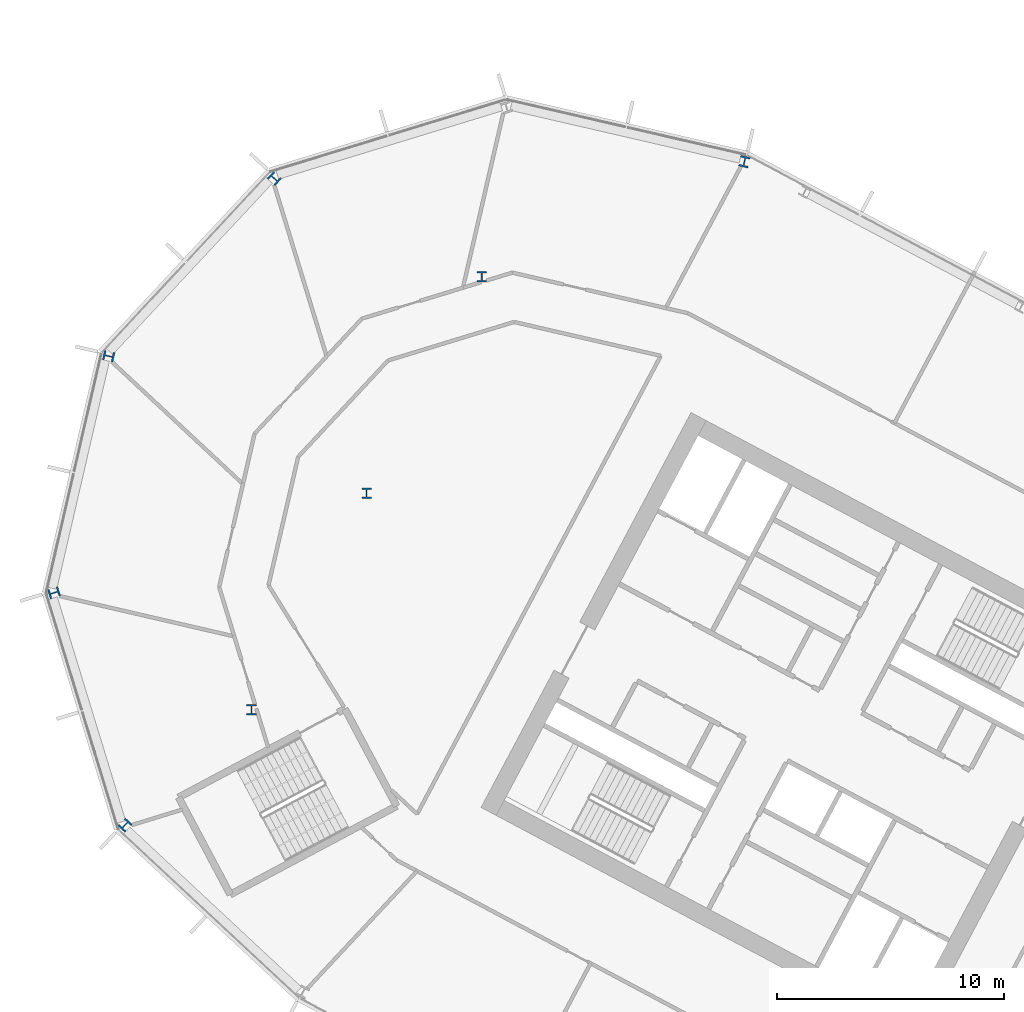
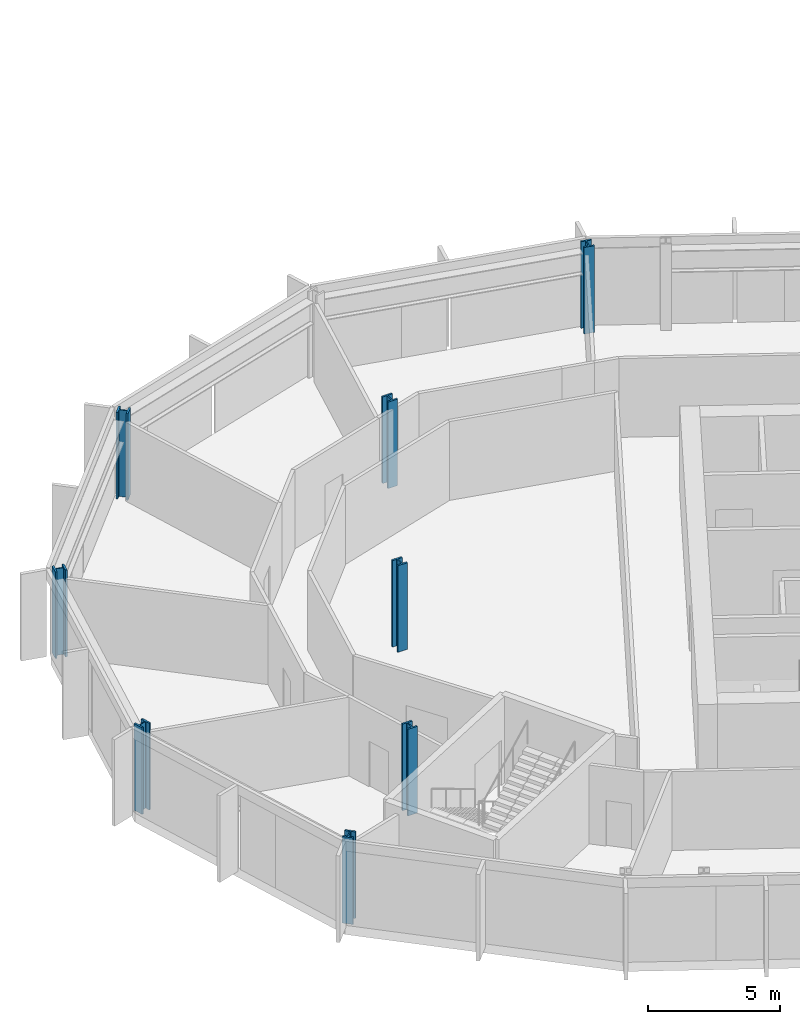
# One storey, part 3 of 34: 8 columns.
"""IFC4 building model written with IfcOpenShell, lengths in metres."""

import ifcopenshell
import ifcopenshell.guid

model = None  # the IFC model being written
_history = None  # IfcOwnerHistory: only IFC2X3 demands one
_inside = {}  # id of a spatial element -> (the spatial element, [elements in it])
_under = {}  # id of a project, library or spatial element -> (it, [spatial elements below it])
_declared = {}  # id of a project -> (the project, [libraries it declares])
_typed = {}  # id of a type object -> (the type object, [elements of that type])
_made_of = {}  # id of a material, layer set ... -> (it, [elements and type objects made of it])


def new_model(schema):
    """Start an empty IFC model of exactly this schema.

    Asked for "IFC4X3", IfcOpenShell would pick the latest addendum, in which some entities
    have other attributes; the version numbers below select the first issue.
    IFC2X3 requires an IfcOwnerHistory on every rooted entity: one is made here for all.
    """
    global model, _history
    if schema == "IFC4X3":
        model = ifcopenshell.file(schema_version=(4, 3, 0, 0))
    else:
        model = ifcopenshell.file(schema=schema)
    _inside.clear()
    _under.clear()
    _declared.clear()
    _typed.clear()
    _made_of.clear()
    _history = None
    if model.schema == "IFC2X3":
        org = make("IfcOrganization", Name="unknown")
        user = make(
            "IfcPersonAndOrganization",
            ThePerson=make("IfcPerson", FamilyName="unknown"),
            TheOrganization=org,
        )
        app = make(
            "IfcApplication",
            ApplicationDeveloper=org,
            Version="unknown",
            ApplicationFullName="unknown",
            ApplicationIdentifier="unknown",
        )
        _history = make(
            "IfcOwnerHistory",
            OwningUser=user,
            OwningApplication=app,
            ChangeAction="ADDED",
            CreationDate=0,
        )
    return model


def make(cls, **values):
    """One entity of the class cls with the attributes given. An attribute that is None is left unset."""
    return model.create_entity(
        cls, **{name: value for name, value in values.items() if value is not None}
    )


def rooted(cls, **values):
    """An entity with a GlobalId (a new one), such as an element, a storey or a relation."""
    return make(cls, GlobalId=ifcopenshell.guid.new(), OwnerHistory=_history, **values)


def si_unit(unit_type, name, prefix=None):
    """IfcSIUnit, for example si_unit("LENGTHUNIT", "METRE", prefix="MILLI")."""
    return make("IfcSIUnit", UnitType=unit_type, Prefix=prefix, Name=name)


def assignment(units):
    """IfcUnitAssignment: the units of a project."""
    return None if units is None else make("IfcUnitAssignment", Units=units)


def point(xyz):
    """IfcCartesianPoint."""
    return None if xyz is None else make("IfcCartesianPoint", Coordinates=xyz)


def direction(xyz):
    """IfcDirection."""
    return None if xyz is None else make("IfcDirection", DirectionRatios=xyz)


def frame(location, z_axis=None, x_axis=None):
    """IfcAxis2Placement3D, a coordinate frame: its origin and axes. An axis left out is left unset."""
    return make(
        "IfcAxis2Placement3D",
        Location=point(location),
        Axis=direction(z_axis),
        RefDirection=direction(x_axis),
    )


def frame_2d(location, x_axis=None):
    """IfcAxis2Placement2D, a coordinate frame in the plane: its origin and x axis."""
    return make(
        "IfcAxis2Placement2D", Location=point(location), RefDirection=direction(x_axis)
    )


def origin():
    """The frame at (0, 0, 0) with its axes left unset."""
    return frame((0.0, 0.0, 0.0))


def origin_2d():
    """The frame at (0, 0) in the plane with its x axis left unset."""
    return frame_2d((0.0, 0.0))


def place(relative_to, where):
    """IfcLocalPlacement: puts the frame where relative to a parent placement (None: the world)."""
    return make(
        "IfcLocalPlacement", PlacementRelTo=relative_to, RelativePlacement=where
    )


def context(
    kind, dimensions, precision=None, world=None, true_north=None, identifier=None
):
    """IfcGeometricRepresentationContext, for example the 3D "Model" context."""
    return make(
        "IfcGeometricRepresentationContext",
        ContextIdentifier=identifier,
        ContextType=kind,
        CoordinateSpaceDimension=dimensions,
        Precision=precision,
        WorldCoordinateSystem=world,
        TrueNorth=true_north,
    )


def subcontext(parent, identifier, kind, view, scale=None):
    """IfcGeometricRepresentationSubContext, for example "Body" below "Model"."""
    return make(
        "IfcGeometricRepresentationSubContext",
        ContextIdentifier=identifier,
        ContextType=kind,
        ParentContext=parent,
        TargetScale=scale,
        TargetView=view,
    )


def project(units=None, contexts=None):
    """IfcProject with its units and contexts."""
    return rooted(
        "IfcProject",
        Name="project",
        RepresentationContexts=contexts,
        UnitsInContext=assignment(units),
    )


def spatial(cls, under=None, at=None, **own):
    """A site, building, storey or space (cls), placed at a placement, below another one or the project."""
    s = rooted(cls, ObjectPlacement=at, **own)
    if under is not None:
        _under.setdefault(under.id(), (under, []))[1].append(s)
    return s


def profile(cls, at=None, kind="AREA", **sizes):
    """A parametric profile (cls). Its sizes go by their IFC names, for example OverallWidth=200.0."""
    return make(cls, ProfileType=kind, Position=at, **sizes)


def i_section(**sizes):
    """IfcIShapeProfileDef."""
    return profile("IfcIShapeProfileDef", **sizes)


def extrude(swept, where, along, depth):
    """IfcExtrudedAreaSolid: the profile swept, set in the frame where, extruded along a direction by depth."""
    return make(
        "IfcExtrudedAreaSolid",
        SweptArea=swept,
        Position=where,
        ExtrudedDirection=direction(along),
        Depth=depth,
    )


def shape(context_of_items, identifier, shape_type, items):
    """IfcShapeRepresentation: the items that make up one representation, for example the "Body"."""
    return make(
        "IfcShapeRepresentation",
        ContextOfItems=context_of_items,
        RepresentationIdentifier=identifier,
        RepresentationType=shape_type,
        Items=items,
    )


def material(Name=None, Category=None):
    """IfcMaterial."""
    return make("IfcMaterial", Name=Name, Category=Category)


def material_profile(
    of_material, cross_section, Name=None, Category=None, Priority=None
):
    """IfcMaterialProfile: a cross section and its material."""
    return make(
        "IfcMaterialProfile",
        Name=Name,
        Material=of_material,
        Profile=cross_section,
        Priority=Priority,
        Category=Category,
    )


def profile_set(profiles, Name=None, composite=None):
    """IfcMaterialProfileSet."""
    return make(
        "IfcMaterialProfileSet",
        Name=Name,
        MaterialProfiles=profiles,
        CompositeProfile=composite,
    )


def made_of(thing, what):
    """Note that an element or type object is made of a material, layer set ...; save() writes the relation."""
    if what is not None:
        _made_of.setdefault(what.id(), (what, []))[1].append(thing)
    return thing


def type_object(cls, material=None, **own):
    """A type object (cls), such as IfcWallType, which elements share."""
    return made_of(rooted(cls, **own), material)


def element(
    cls,
    number,
    at=None,
    inside=None,
    cuts=None,
    type_object=None,
    material=None,
    context=None,
    identifier="Body",
    shape_type=None,
    held_by="IfcProductDefinitionShape",
    body=None,
    shapes=None,
    **own,
):
    """One element of the class cls, such as IfcWall. Its Tag is "e" and its number.

    at: its placement. inside: the storey or other place that contains it. cuts: it is an
    opening in that element (IfcRelVoidsElement). A single representation is given by context,
    identifier, shape_type and body (its items); several are given by shapes. held_by: the class
    of the entity that holds the representations. save() writes the other relations.
    """
    e = rooted(cls, Tag="e%d" % number, ObjectPlacement=at, **own)
    if body is not None:
        shapes = [shape(context, identifier, shape_type, body)]
    if shapes is not None:
        e.Representation = make(held_by, Representations=shapes)
    if inside is not None:
        _inside.setdefault(inside.id(), (inside, []))[1].append(e)
    if cuts is not None:
        rooted(
            "IfcRelVoidsElement", RelatingBuildingElement=cuts, RelatedOpeningElement=e
        )
    if type_object is not None:
        _typed.setdefault(type_object.id(), (type_object, []))[1].append(e)
    return made_of(e, material)


def aggregate(whole, parts):
    """IfcRelAggregates: a whole, such as a stair, and the parts it consists of."""
    return rooted("IfcRelAggregates", RelatingObject=whole, RelatedObjects=parts)


def save(model, path):
    """Write the relations noted so far, then the file.

    IfcRelAggregates (storeys below a building ...), IfcRelContainedInSpatialStructure (elements
    in a storey), IfcRelDefinesByType, IfcRelAssociatesMaterial and IfcRelDeclares: one each for
    every whole, place, type object, material and project.
    """
    for whole, parts in _under.values():
        aggregate(whole, parts)
    for where, things in _inside.values():
        rooted(
            "IfcRelContainedInSpatialStructure",
            RelatedElements=things,
            RelatingStructure=where,
        )
    for kind, things in _typed.values():
        rooted("IfcRelDefinesByType", RelatedObjects=things, RelatingType=kind)
    for what, things in _made_of.values():
        rooted("IfcRelAssociatesMaterial", RelatedObjects=things, RelatingMaterial=what)
    for by, libraries in _declared.values():
        rooted("IfcRelDeclares", RelatingContext=by, RelatedDefinitions=libraries)
    model.write(path)


model = new_model("IFC4")

# Units and contexts
model_context = context("Model", 3, precision=1e-05, world=origin(), true_north=direction((0.0, 1.0)))
body_context = subcontext(model_context, "Body", "Model", "MODEL_VIEW")
ifc_project = project(units=[si_unit("LENGTHUNIT", "METRE"), si_unit("AREAUNIT", "SQUARE_METRE"), si_unit("VOLUMEUNIT", "CUBIC_METRE"), si_unit("PLANEANGLEUNIT", "RADIAN"), si_unit("MASSUNIT", "GRAM", prefix="KILO")], contexts=[model_context])

# Site, building, storey
site_placement = place(None, origin())
site = spatial("IfcSite", under=ifc_project, at=site_placement, CompositionType="ELEMENT")
building_placement = place(site_placement, origin())
building = spatial("IfcBuilding", under=site, at=building_placement, Name="Cormorant Relay Tower", CompositionType="ELEMENT")
storey_placement = place(building_placement, frame((0.0, 0.0, 118.199951171875)))
storey = spatial("IfcBuildingStorey", under=building, at=storey_placement, Name="L23", CompositionType="ELEMENT", Elevation=118.199951171875)

# Columns
ifc_material = material(Name="Steel ASTM A992 (Fy 345 MPa)", Category="steel")
ifc_material_profile = material_profile(ifc_material, i_section(OverallWidth=0.42431640625, OverallDepth=0.47509765625, WebThickness=0.0478515625, FlangeThickness=0.0771484375, FilletRadius=0.014892578125, at=origin_2d()), Name="W360x634")
ifc_profile_set = profile_set([ifc_material_profile], Name="Steel ASTM A992 (Fy 345 MPa)")
column_type = type_object("IfcColumnType", Name="Column W360x634", PredefinedType="COLUMN", material=ifc_profile_set)
for number, where, z_axis, x_axis, name in (
    (1, (-57.261962890625, 10.173095703125, 0.0), (0.0, 0.0, 1.0), (0.731353701619, -0.681998360062, 0.0), "Column L23-022"),
    (2, (-51.68994140625, 15.251953125, 0.0), (0.0, 0.0, 1.0), (1.0, 0.0, 0.0), "Column L23-028"),
    (3, (-60.389892578125, 20.405029296875, 0.0), (0.0, 0.0, 1.0), (0.292371704723, -0.956304755963, 0.0), "Column L23-030"),
    (4, (-46.6201171875, 24.7880859375, 0.0), (0.0, 0.0, 1.0), (1.0, 0.0, 0.0), "Column L23-033"),
    (5, (-57.98291015625, 30.830078125, 0.0), (0.0, 0.0, 1.0), (-0.224951054344, -0.974370064785, 0.0), "Column L23-037"),
    (6, (-41.549072265625, 34.323974609375, 0.0), (0.0, 0.0, 1.0), (1.0, 0.0, 0.0), "Column L23-041"),
    (7, (-50.68603515625, 38.655029296875, 0.0), (0.0, 0.0, 1.0), (-0.681998360062, -0.731353701619, 0.0), "Column L23-045"),
    (8, (-29.97509765625, 39.39599609375, 0.0), (0.0, 0.0, 1.0), (-0.974370064785, 0.224951054344, 0.0), "Column L23-046"),
):
    element("IfcColumn", number, at=place(storey_placement, frame(where, z_axis=z_axis, x_axis=x_axis)), inside=storey, type_object=column_type, Name=name, PredefinedType="COLUMN", context=body_context, shape_type="SweptSolid", body=[
        extrude(i_section(OverallWidth=0.42431640625, OverallDepth=0.47509765625, WebThickness=0.0478515625, FlangeThickness=0.0771484375, FilletRadius=0.014892578125, at=origin_2d()), origin(), (0.0, 0.0, 1.0), 4.0),
    ])

save(model, "model.ifc")
